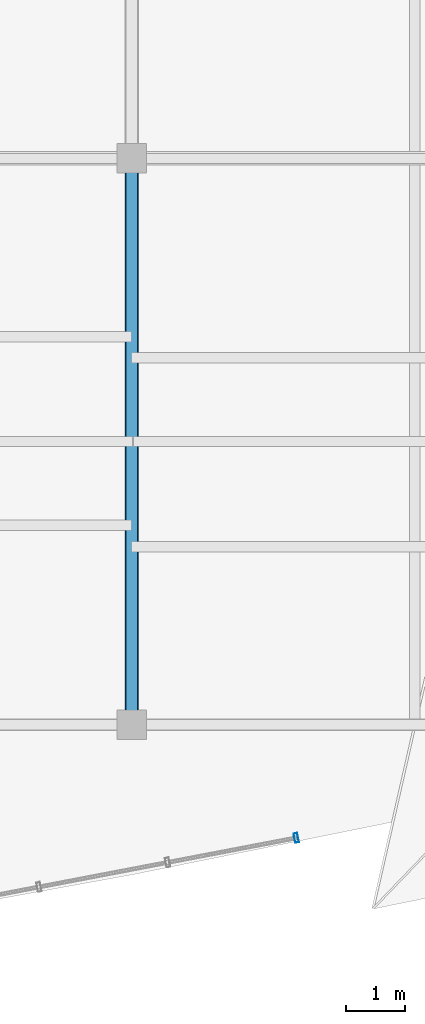
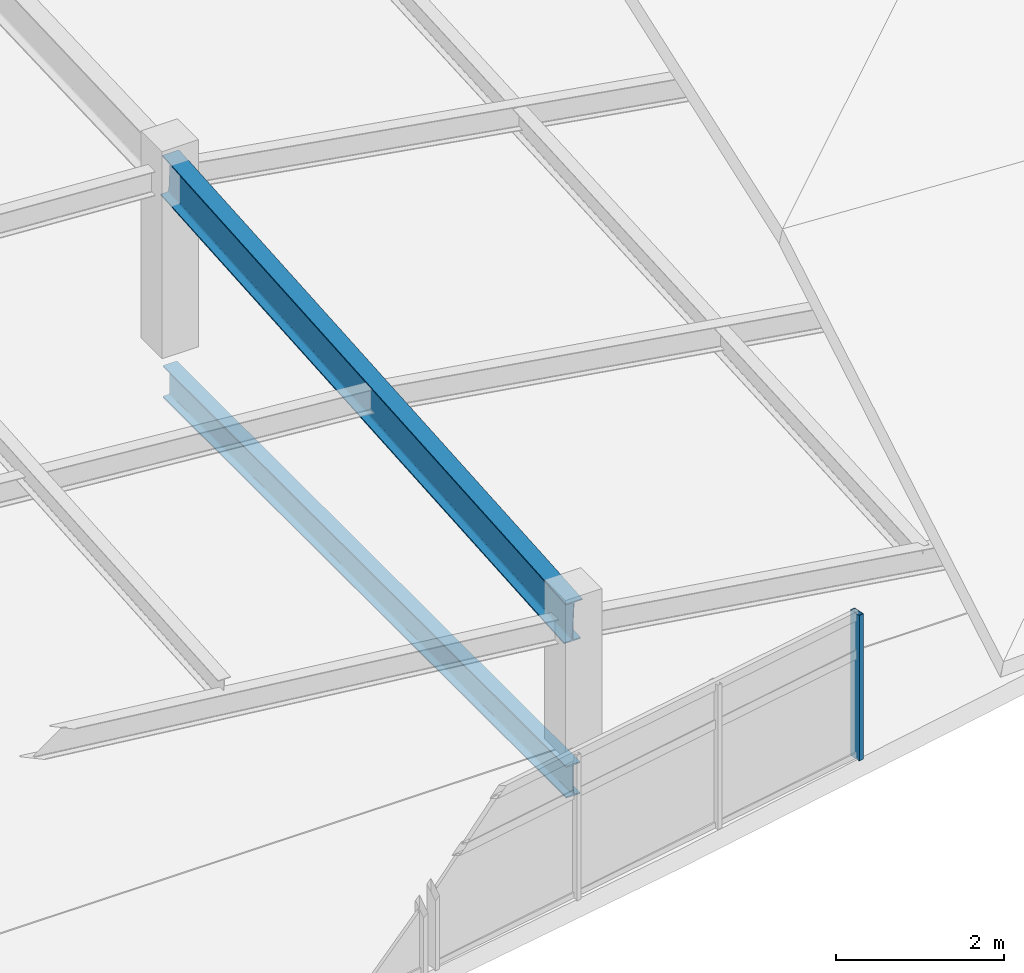
# One storey, part 41 of 65: 2 beams, 1 member, 1 element without a shape of its own.
"""IFC4 building model written with IfcOpenShell, lengths in metres."""

from ifc_helpers import new_model, si_unit, direction, frame, origin, origin_2d, place, context, subcontext, project, spatial, hollow_rectangle, i_section, extrude, material, layer, layer_set, material_profile, profile_set, type_object, element, aggregate, save


model = new_model("IFC4")

# Units and contexts
model_context = context("Model", 3, precision=1e-05, world=origin(), true_north=direction((0.0, 1.0)))
body_context = subcontext(model_context, "Body", "Model", "MODEL_VIEW")
ifc_project = project(units=[si_unit("LENGTHUNIT", "METRE"), si_unit("AREAUNIT", "SQUARE_METRE"), si_unit("VOLUMEUNIT", "CUBIC_METRE"), si_unit("PLANEANGLEUNIT", "RADIAN"), si_unit("MASSUNIT", "GRAM", prefix="KILO")], contexts=[model_context])

# Site, building, storey
site_placement = place(None, origin())
site = spatial("IfcSite", under=ifc_project, at=site_placement, CompositionType="ELEMENT")
building_placement = place(site_placement, origin())
building = spatial("IfcBuilding", under=site, at=building_placement, Name="Chalmorin Arch Market", CompositionType="ELEMENT")
storey_placement = place(building_placement, frame((0.0, 0.0, 14.10009765625)))
storey = spatial("IfcBuildingStorey", under=building, at=storey_placement, Name="L03", CompositionType="ELEMENT", Elevation=14.10009765625)

# Curtain wall, member
ifc_material_1 = material(Name="Aluminium 6063-T6", Category="aluminium")
ifc_layer = layer(ifc_material_1, 0.159912109375)
ifc_layer_set = layer_set([ifc_layer], Name="Aluminium 6063-T6")
curtain_wall_type = type_object("IfcCurtainWallType", Name="CulinaryStudioCurtainWall-CW3-6660x2110", PredefinedType="NOTDEFINED", material=ifc_layer_set)
curtain_wall_placement = place(storey_placement, origin())
curtain_wall = element("IfcCurtainWall", 1, at=curtain_wall_placement, inside=storey, type_object=curtain_wall_type, Name="CW-03-176", PredefinedType="NOTDEFINED")
ifc_material_profile_1 = material_profile(ifc_material_1, hollow_rectangle(XDim=0.06494140625, YDim=0.159912109375, WallThickness=0.00390625, at=origin_2d()), Name="ALU65X160X4")
ifc_profile_set_1 = profile_set([ifc_material_profile_1], Name="Aluminium 6063-T6")
member_type = type_object("IfcMemberType", Name="CurtainWallMullion-65x160", PredefinedType="MULLION", material=ifc_profile_set_1)
member_placement = place(storey_placement, frame((108.3916015625, 70.08203125, -0.02001953125), z_axis=(0.0, 0.0, 1.0), x_axis=(0.981627183448, 0.190808995377, 0.0)))
member = element("IfcMember", 2, at=member_placement, type_object=member_type, Name="ML-176-04", PredefinedType="MULLION", context=body_context, shape_type="SweptSolid", body=[
    extrude(hollow_rectangle(XDim=0.06494140625, YDim=0.159912109375, WallThickness=0.00390625, at=origin_2d()), origin(), (0.0, 0.0, 1.0), 2.114013671875),
])
aggregate(curtain_wall, [member])

# Beams
ifc_material_2 = material(Name="Steel A992 Grade 50", Category="steel")
ifc_material_profile_2 = material_profile(ifc_material_2, i_section(OverallWidth=0.193115234375, OverallDepth=0.466064453125, WebThickness=0.011474609375, FlangeThickness=0.01904296875, FilletRadius=0.02001953125, at=origin_2d()), Name="W18X65")
ifc_profile_set_2 = profile_set([ifc_material_profile_2], Name="Steel A992 Grade 50")
beam_type_1 = type_object("IfcBeamType", Name="FloorSteelBeam-W18X65", PredefinedType="BEAM", material=ifc_profile_set_2)
beam_1_placement = place(storey_placement, frame((105.60009765625, 72.0, -0.53515625), z_axis=(0.0, 1.0, 0.0), x_axis=(-1.0, 0.0, 0.0)))
element("IfcBeam", 3, at=beam_1_placement, inside=storey, type_object=beam_type_1, Name="BM-W18A-1483", PredefinedType="BEAM", context=body_context, shape_type="SweptSolid", body=[
    extrude(i_section(OverallWidth=0.193115234375, OverallDepth=0.466064453125, WebThickness=0.011474609375, FlangeThickness=0.01904296875, FilletRadius=0.02001953125, at=origin_2d()), origin(), (0.0, 0.0, 1.0), 9.60009765625),
])
ifc_material_profile_3 = material_profile(ifc_material_2, i_section(OverallWidth=0.22802734375, OverallDepth=0.60791015625, WebThickness=0.01123046875, FlangeThickness=0.017333984375, FilletRadius=0.02392578125, at=origin_2d()), Name="W24X76")
ifc_profile_set_3 = profile_set([ifc_material_profile_3], Name="Steel A992 Grade 50")
beam_type_2 = type_object("IfcBeamType", Name="PrimarySteelGirder-W24X76", PredefinedType="BEAM", material=ifc_profile_set_3)
beam_2_placement = place(storey_placement, frame((105.60009765625, 72.0, 1.768798828125), z_axis=(0.0, 0.997358071172, 0.072642121861), x_axis=(-1.0, 0.0, 0.0)))
element("IfcBeam", 4, at=beam_2_placement, inside=storey, type_object=beam_type_2, Name="BG-W24B-1575", PredefinedType="BEAM", context=body_context, shape_type="SweptSolid", body=[
    extrude(i_section(OverallWidth=0.22802734375, OverallDepth=0.60791015625, WebThickness=0.01123046875, FlangeThickness=0.017333984375, FilletRadius=0.02392578125, at=origin_2d()), origin(), (0.0, 0.0, 1.0), 9.62548828125),
])

save(model, "model.ifc")
